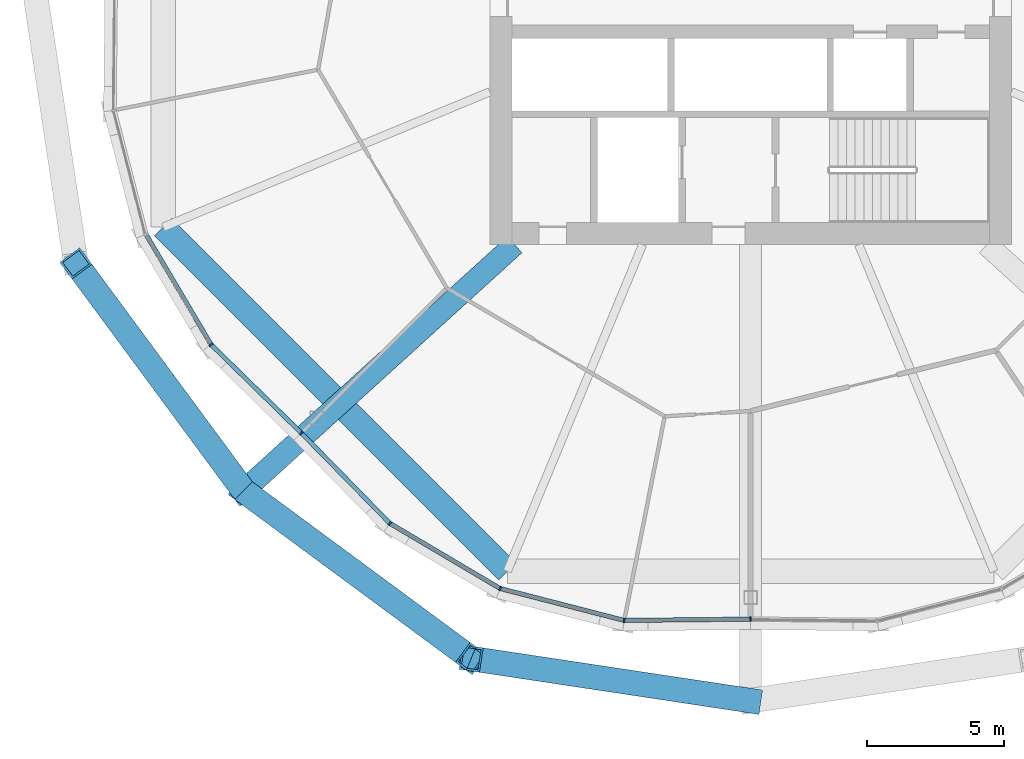
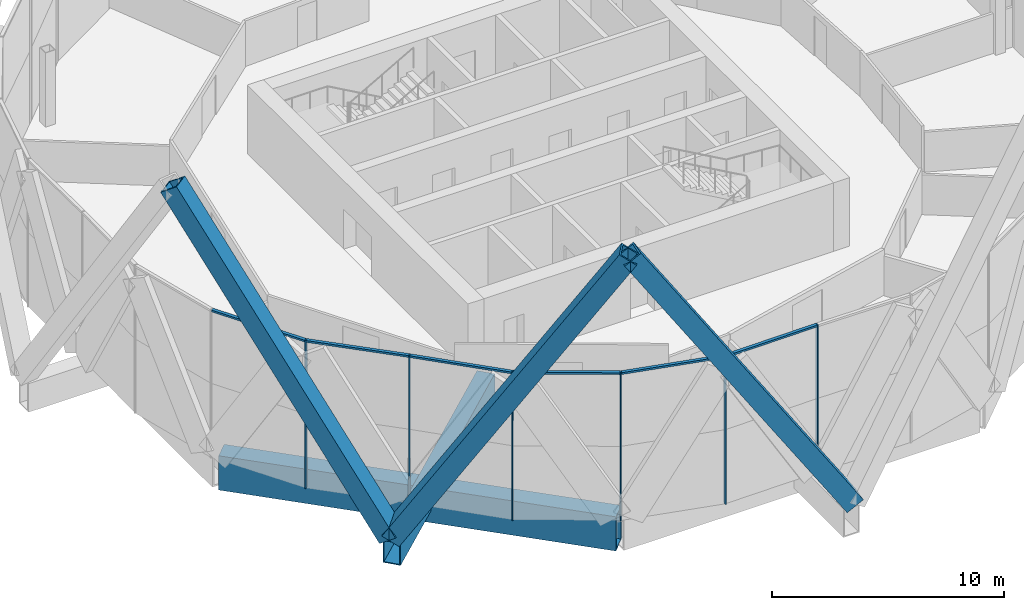
# One storey, part 3 of 28: 15 members, 2 beams, 2 elements without a shape of their own.
"""IFC4 building model written with IfcOpenShell, lengths in metres."""

from ifc_helpers import new_model, si_unit, direction, frame, origin, origin_2d, place, context, subcontext, project, spatial, rectangle, hollow_rectangle, extrude, material, material_profile, profile_set, type_object, element, aggregate, save


model = new_model("IFC4")

# Units and contexts
model_context = context("Model", 3, precision=1e-05, world=origin(), true_north=direction((0.0, 1.0)))
body_context = subcontext(model_context, "Body", "Model", "MODEL_VIEW")
ifc_project = project(units=[si_unit("LENGTHUNIT", "METRE"), si_unit("AREAUNIT", "SQUARE_METRE"), si_unit("VOLUMEUNIT", "CUBIC_METRE"), si_unit("PLANEANGLEUNIT", "RADIAN"), si_unit("MASSUNIT", "GRAM", prefix="KILO")], contexts=[model_context])

# Site, building, storey
site_placement = place(None, origin())
site = spatial("IfcSite", under=ifc_project, at=site_placement, CompositionType="ELEMENT")
building_placement = place(site_placement, origin())
building = spatial("IfcBuilding", under=site, at=building_placement, Name="Ogive Gate Towers", CompositionType="ELEMENT")
storey_placement = place(building_placement, frame((0.0, 0.0, 115.199951171875)))
storey = spatial("IfcBuildingStorey", under=building, at=storey_placement, Name="L27", CompositionType="ELEMENT", Elevation=115.199951171875)

# Members
ifc_material_1 = material(Name="Steel SM460", Category="steel")
ifc_material_profile_1 = material_profile(ifc_material_1, hollow_rectangle(XDim=0.89990234375, YDim=0.89990234375, WallThickness=0.080078125, at=origin_2d()), Name="BX 900x900x80")
ifc_profile_set_1 = profile_set([ifc_material_profile_1], Name="Steel SM460")
member_type_1 = type_object("IfcMemberType", Name="Diagrid diagonal BX 900x900x80", PredefinedType="BRACE", material=ifc_profile_set_1)
for number, where, z_axis, x_axis, name in (
    (1, (-54.462646484375, -18.462646484375, 0.0), (-0.327039025082, 0.443175302272, 0.83465030254), (-0.804631811944, -0.593774070845, 0.0), "T1/L27/SDG011"),
    (2, (-54.462646484375, -18.462646484375, 0.0), (0.443175302272, -0.327039025082, 0.83465030254), (0.593774070845, 0.804631811944, 0.0), "T1/L27/SDG012"),
    (3, (-36.0, -26.110107421875, 0.0), (-0.544627829519, 0.082121961007, 0.834647536889), (-0.149100004323, -0.988822121876, 0.0), "T1/L27/SDG013"),
):
    element("IfcMember", number, at=place(storey_placement, frame(where, z_axis=z_axis, x_axis=x_axis)), inside=storey, type_object=member_type_1, Name=name, PredefinedType="BRACE", context=body_context, shape_type="SweptSolid", body=[
        extrude(hollow_rectangle(XDim=0.89990234375, YDim=0.89990234375, WallThickness=0.080078125, at=origin_2d()), origin(), (0.0, 0.0, 1.0), 18.690673828125),
    ])

# Beam
ifc_material_profile_2 = material_profile(ifc_material_1, hollow_rectangle(XDim=0.89990234375, YDim=1.800048828125, WallThickness=0.080078125, at=origin_2d()), Name="BX 1800x900x80")
ifc_profile_set_2 = profile_set([ifc_material_profile_2], Name="Steel SM460")
beam_type_1 = type_object("IfcBeamType", Name="Edge girder BX 1800x900x80", PredefinedType="BEAM", material=ifc_profile_set_2)
beam_1_placement = place(storey_placement, frame((-57.39697265625, -8.863037109375, -1.199951171875), z_axis=(0.707106781187, -0.707106781187, 0.0), x_axis=(0.707106781187, 0.707106781187, 0.0)))
element("IfcBeam", 4, at=beam_1_placement, inside=storey, type_object=beam_type_1, Name="T1/L27/SBM017", PredefinedType="BEAM", context=body_context, shape_type="SweptSolid", body=[
    extrude(hollow_rectangle(XDim=0.89990234375, YDim=1.800048828125, WallThickness=0.080078125, at=origin_2d()), origin(), (0.0, 0.0, 1.0), 17.7255859375),
])

# Curtain wall, members
ifc_material_2 = material(Name="Pale metal aluminium", Category="aluminium")
curtain_wall_type = type_object("IfcCurtainWallType", Name="Tower unitised wall, low zone", PredefinedType="NOTDEFINED", material=ifc_material_2)
curtain_wall_1_placement = place(storey_placement, origin())
curtain_wall_1 = element("IfcCurtainWall", 5, at=curtain_wall_1_placement, inside=storey, type_object=curtain_wall_type, Name="CW1 T1 ECW05", PredefinedType="NOTDEFINED")
ifc_material_profile_3 = material_profile(ifc_material_2, rectangle(XDim=0.159912109375, YDim=0.06005859375, at=origin_2d()), Name="60 x 160 aluminium box")
ifc_profile_set_3 = profile_set([ifc_material_profile_3], Name="Pale metal aluminium")
member_type_2 = type_object("IfcMemberType", Name="Tower unitised wall, low zone mullion 60 x 160", PredefinedType="MULLION", material=ifc_profile_set_3)
member_1_placement = place(storey_placement, frame((-55.653076171875, -13.13916015625, -0.300048828125), z_axis=(0.0, 0.0, 1.0), x_axis=(-0.787085768775, -0.616843572223, 0.0)))
member_1 = element("IfcMember", 6, at=member_1_placement, type_object=member_type_2, Name="CW1 mullion", PredefinedType="MULLION", context=body_context, shape_type="SweptSolid", body=[
    extrude(rectangle(XDim=0.159912109375, YDim=0.06005859375, at=origin_2d()), origin(), (0.0, 0.0, 1.0), 7.800048828125),
])
member_2_placement = place(storey_placement, frame((-52.362548828125, -16.3623046875, -0.300048828125), z_axis=(0.0, 0.0, 1.0), x_axis=(-0.699788028863, -0.714350554462, 0.0)))
member_2 = element("IfcMember", 7, at=member_2_placement, type_object=member_type_2, Name="CW1 mullion", PredefinedType="MULLION", context=body_context, shape_type="SweptSolid", body=[
    extrude(rectangle(XDim=0.159912109375, YDim=0.06005859375, at=origin_2d()), origin(), (0.0, 0.0, 1.0), 7.800048828125),
])

curtain_wall_2_placement = place(storey_placement, origin())
curtain_wall_2 = element("IfcCurtainWall", 8, at=curtain_wall_2_placement, inside=storey, type_object=curtain_wall_type, Name="CW1 T1 ECW06", PredefinedType="NOTDEFINED")
member_3_placement = place(storey_placement, frame((-49.13916015625, -19.653076171875, -0.300048828125), z_axis=(0.0, 0.0, 1.0), x_axis=(-0.616843572223, -0.787085768775, 0.0)))
member_3 = element("IfcMember", 9, at=member_3_placement, type_object=member_type_2, Name="CW1 mullion", PredefinedType="MULLION", context=body_context, shape_type="SweptSolid", body=[
    extrude(rectangle(XDim=0.159912109375, YDim=0.06005859375, at=origin_2d()), origin(), (0.0, 0.0, 1.0), 7.800048828125),
])
member_4_placement = place(storey_placement, frame((-45.12353515625, -22.026123046875, -0.300048828125), z_axis=(0.0, 0.0, 1.0), x_axis=(-0.382683432365, -0.923879532511, 0.0)))
member_4 = element("IfcMember", 10, at=member_4_placement, type_object=member_type_2, Name="CW1 mullion", PredefinedType="MULLION", context=body_context, shape_type="SweptSolid", body=[
    extrude(rectangle(XDim=0.159912109375, YDim=0.06005859375, at=origin_2d()), origin(), (0.0, 0.0, 1.0), 7.800048828125),
])
member_5_placement = place(storey_placement, frame((-40.606201171875, -23.1875, -0.300048828125), z_axis=(0.0, 0.0, 1.0), x_axis=(-0.120379411626, -0.992727957326, 0.0)))
member_5 = element("IfcMember", 11, at=member_5_placement, type_object=member_type_2, Name="CW1 mullion", PredefinedType="MULLION", context=body_context, shape_type="SweptSolid", body=[
    extrude(rectangle(XDim=0.159912109375, YDim=0.06005859375, at=origin_2d()), origin(), (0.0, 0.0, 1.0), 7.800048828125),
])
member_6_placement = place(storey_placement, frame((-36.000244140625, -23.139892578125, -0.300048828125), z_axis=(0.0, 0.0, 1.0), x_axis=(0.010279808233, -0.999947161375, 0.0)))
member_6 = element("IfcMember", 12, at=member_6_placement, type_object=member_type_2, Name="CW1 mullion", PredefinedType="MULLION", context=body_context, shape_type="SweptSolid", body=[
    extrude(rectangle(XDim=0.159912109375, YDim=0.06005859375, at=origin_2d()), origin(), (0.0, 0.0, 1.0), 7.800048828125),
])

# Member
ifc_material_profile_4 = material_profile(ifc_material_2, rectangle(XDim=0.159912109375, YDim=0.10009765625, at=origin_2d()), Name="100 x 160 aluminium box")
ifc_profile_set_4 = profile_set([ifc_material_profile_4], Name="Pale metal aluminium")
member_type_3 = type_object("IfcMemberType", Name="Tower unitised wall, low zone transom 100 x 160", PredefinedType="USERDEFINED", material=ifc_profile_set_4)
member_7_placement = place(storey_placement, frame((-58.01220703125, -9.14697265625, 7.449951171875), z_axis=(0.508798898164, -0.860885405398, 0.0), x_axis=(0.860885405398, 0.508798898164, 0.0)))
member_7 = element("IfcMember", 13, at=member_7_placement, type_object=member_type_3, Name="CW1 transom", ObjectType="TRANSOM", PredefinedType="USERDEFINED", context=body_context, shape_type="SweptSolid", body=[
    extrude(rectangle(XDim=0.159912109375, YDim=0.10009765625, at=origin_2d()), origin(), (0.0, 0.0, 1.0), 4.60986328125),
])

member_8_placement = place(storey_placement, frame((-55.63330078125, -13.158203125, 7.449951171875), z_axis=(0.714342153972, -0.699796604064, 0.0), x_axis=(0.699796604064, 0.714342153972, 0.0)))
member_8 = element("IfcMember", 14, at=member_8_placement, type_object=member_type_3, Name="CW1 transom", ObjectType="TRANSOM", PredefinedType="USERDEFINED", context=body_context, shape_type="SweptSolid", body=[
    extrude(rectangle(XDim=0.159912109375, YDim=0.10009765625, at=origin_2d()), origin(), (0.0, 0.0, 1.0), 4.548583984375),
])

aggregate(curtain_wall_1, [member_1, member_7, member_2, member_8])

member_9_placement = place(storey_placement, frame((-52.34130859375, -16.384033203125, 7.449951171875), z_axis=(0.699796604064, -0.714342153972, 0.0), x_axis=(0.714342153972, 0.699796604064, 0.0)))
member_9 = element("IfcMember", 15, at=member_9_placement, type_object=member_type_3, Name="CW1 transom", ObjectType="TRANSOM", PredefinedType="USERDEFINED", context=body_context, shape_type="SweptSolid", body=[
    extrude(rectangle(XDim=0.159912109375, YDim=0.10009765625, at=origin_2d()), origin(), (0.0, 0.0, 1.0), 4.548583984375),
])

member_10_placement = place(storey_placement, frame((-49.115478515625, -19.666748046875, 7.449951171875), z_axis=(0.860885405398, -0.508798898164, 0.0), x_axis=(0.508798898164, 0.860885405398, 0.0)))
member_10 = element("IfcMember", 16, at=member_10_placement, type_object=member_type_3, Name="CW1 transom", ObjectType="TRANSOM", PredefinedType="USERDEFINED", context=body_context, shape_type="SweptSolid", body=[
    extrude(rectangle(XDim=0.159912109375, YDim=0.10009765625, at=origin_2d()), origin(), (0.0, 0.0, 1.0), 4.60986328125),
])

member_11_placement = place(storey_placement, frame((-45.09716796875, -22.03271484375, 7.449951171875), z_axis=(0.968497677012, -0.249022588577, 0.0), x_axis=(0.249022588577, 0.968497677012, 0.0)))
member_11 = element("IfcMember", 17, at=member_11_placement, type_object=member_type_3, Name="CW1 transom", ObjectType="TRANSOM", PredefinedType="USERDEFINED", context=body_context, shape_type="SweptSolid", body=[
    extrude(rectangle(XDim=0.159912109375, YDim=0.10009765625, at=origin_2d()), origin(), (0.0, 0.0, 1.0), 4.60986328125),
])

member_12_placement = place(storey_placement, frame((-40.57861328125, -23.18701171875, 7.449951171875), z_axis=(0.999947449507, 0.010251742504, 0.0), x_axis=(-0.010251742504, 0.999947449507, 0.0)))
member_12 = element("IfcMember", 18, at=member_12_placement, type_object=member_type_3, Name="CW1 transom", ObjectType="TRANSOM", PredefinedType="USERDEFINED", context=body_context, shape_type="SweptSolid", body=[
    extrude(rectangle(XDim=0.159912109375, YDim=0.10009765625, at=origin_2d()), origin(), (0.0, 0.0, 1.0), 4.548583984375),
])

aggregate(curtain_wall_2, [member_3, member_9, member_4, member_10, member_5, member_11, member_6, member_12])

# Beam
ifc_material_profile_5 = material_profile(ifc_material_1, hollow_rectangle(XDim=0.800048828125, YDim=1.199951171875, WallThickness=0.050048828125, at=origin_2d()), Name="BX 1200x800x50")
ifc_profile_set_5 = profile_set([ifc_material_profile_5], Name="Steel SM460")
beam_type_2 = type_object("IfcBeamType", Name="Transfer radial beam BX 1200x800x50", PredefinedType="BEAM", material=ifc_profile_set_5)
beam_2_placement = place(storey_placement, frame((-44.60009765625, -9.5, -0.89990234375), z_axis=(-0.740063574275, -0.672536917969, 0.0), x_axis=(0.672536917969, -0.740063574275, 0.0)))
element("IfcBeam", 19, at=beam_2_placement, inside=storey, type_object=beam_type_2, Name="T1/L27/SBM002", PredefinedType="BEAM", context=body_context, shape_type="SweptSolid", body=[
    extrude(hollow_rectangle(XDim=0.800048828125, YDim=1.199951171875, WallThickness=0.050048828125, at=origin_2d()), origin(), (0.0, 0.0, 1.0), 13.32666015625),
])

save(model, "model.ifc")
